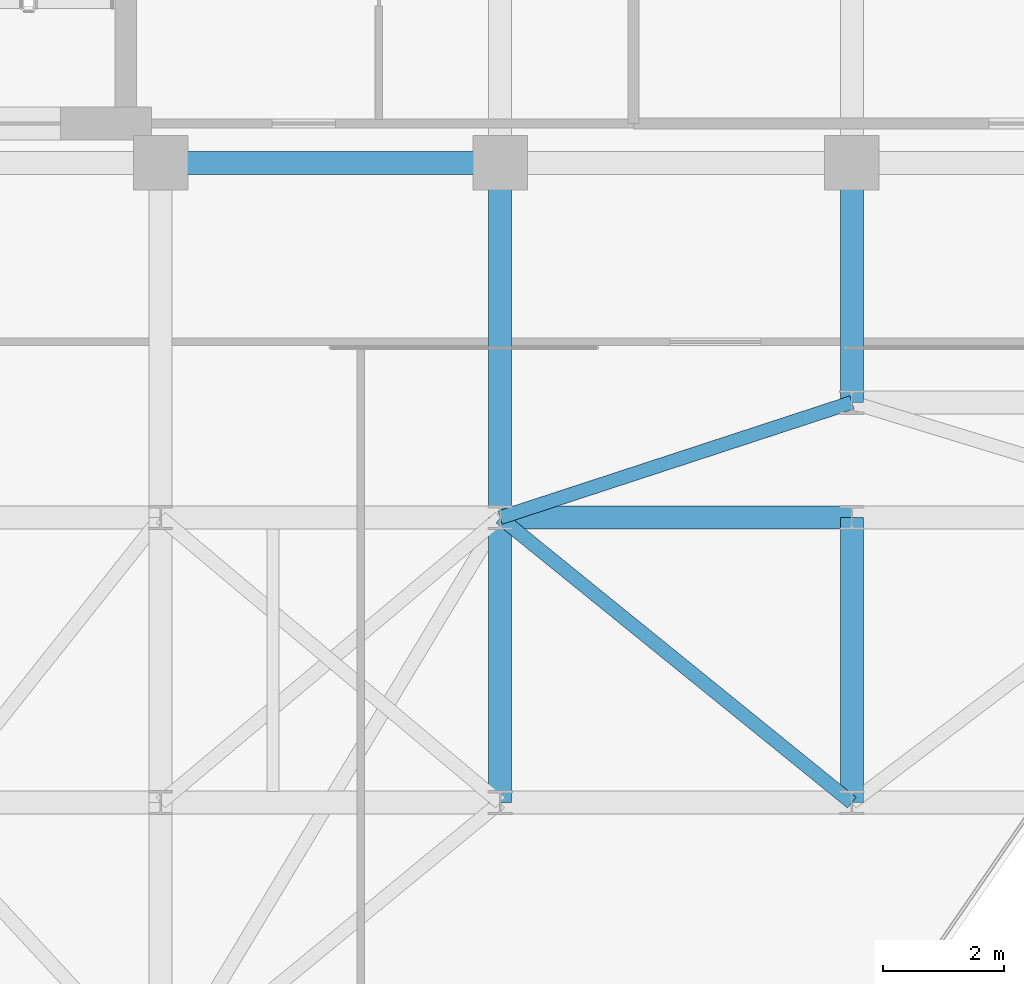
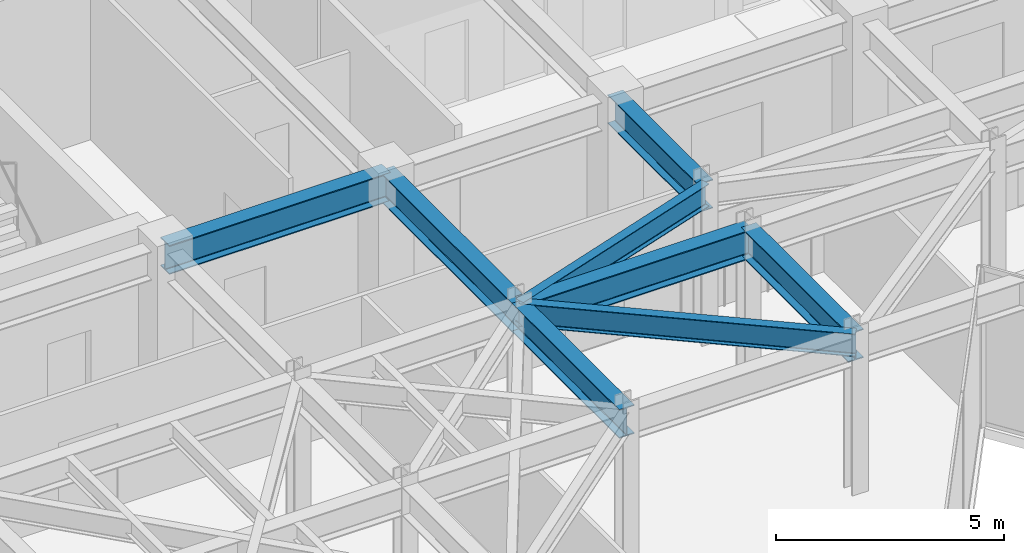
# One storey, part 11 of 25: 8 beams.
"""IFC4 building model written with IfcOpenShell, lengths in metres."""

from ifc_helpers import new_model, si_unit, direction, frame, origin, origin_2d, place, context, subcontext, project, spatial, i_section, extrude, material, material_profile, profile_set, type_object, element, save


model = new_model("IFC4")

# Units and contexts
model_context = context("Model", 3, precision=1e-05, world=origin(), true_north=direction((0.0, 1.0)))
body_context = subcontext(model_context, "Body", "Model", "MODEL_VIEW")
ifc_project = project(units=[si_unit("LENGTHUNIT", "METRE"), si_unit("AREAUNIT", "SQUARE_METRE"), si_unit("VOLUMEUNIT", "CUBIC_METRE"), si_unit("PLANEANGLEUNIT", "RADIAN"), si_unit("MASSUNIT", "GRAM", prefix="KILO")], contexts=[model_context])

# Site, building, storey
site_placement = place(None, origin())
site = spatial("IfcSite", under=ifc_project, at=site_placement, CompositionType="ELEMENT")
building_placement = place(site_placement, origin())
building = spatial("IfcBuilding", under=site, at=building_placement, Name="Kravanh Interchange Tower", CompositionType="ELEMENT")
storey_placement = place(building_placement, frame((0.0, 0.0, 220.5)))
storey = spatial("IfcBuildingStorey", under=building, at=storey_placement, Name="L53", CompositionType="ELEMENT", Elevation=220.5)

# Beams
ifc_material_1 = material(Name="Structural Steel S355", Category="steel")
ifc_material_profile_1 = material_profile(ifc_material_1, i_section(OverallWidth=0.381103515625, OverallDepth=0.77294921875, WebThickness=0.0166015625, FlangeThickness=0.027099609375, FilletRadius=0.02490234375, at=origin_2d()), Name="W30X173")
ifc_profile_set_1 = profile_set([ifc_material_profile_1], Name="Structural Steel S355")
beam_type_1 = type_object("IfcBeamType", Name="Floor Beam W30X173 Structural Steel S355", PredefinedType="BEAM", material=ifc_profile_set_1)
beam_1_placement = place(storey_placement, frame((38.60009765625, 37.35009765625, 3.83349609375), z_axis=(0.0, -1.0, 0.0), x_axis=(1.0, 0.0, 0.0)))
element("IfcBeam", 1, at=beam_1_placement, inside=storey, type_object=beam_type_1, Name="L53 Primary Floor Girder 16", PredefinedType="BEAM", context=body_context, shape_type="SweptSolid", body=[
    extrude(i_section(OverallWidth=0.381103515625, OverallDepth=0.77294921875, WebThickness=0.0166015625, FlangeThickness=0.027099609375, FilletRadius=0.02490234375, at=origin_2d()), origin(), (0.0, 0.0, 1.0), 3.9501953125),
])
beam_2_placement = place(storey_placement, frame((32.800048828125, 37.35009765625, 3.83349609375), z_axis=(-1.0, 0.0, 0.0), x_axis=(0.0, -1.0, 0.0)))
element("IfcBeam", 2, at=beam_2_placement, inside=storey, type_object=beam_type_1, Name="L53 Primary Floor Girder 20", PredefinedType="BEAM", context=body_context, shape_type="SweptSolid", body=[
    extrude(i_section(OverallWidth=0.381103515625, OverallDepth=0.77294921875, WebThickness=0.0166015625, FlangeThickness=0.027099609375, FilletRadius=0.02490234375, at=origin_2d()), origin(), (0.0, 0.0, 1.0), 5.60009765625),
])
beam_3_placement = place(storey_placement, frame((32.800048828125, 37.35009765625, 3.83349609375), z_axis=(0.0, -1.0, 0.0), x_axis=(1.0, 0.0, 0.0)))
element("IfcBeam", 3, at=beam_3_placement, inside=storey, type_object=beam_type_1, Name="L53 Primary Floor Girder 21", PredefinedType="BEAM", context=body_context, shape_type="SweptSolid", body=[
    extrude(i_section(OverallWidth=0.381103515625, OverallDepth=0.77294921875, WebThickness=0.0166015625, FlangeThickness=0.027099609375, FilletRadius=0.02490234375, at=origin_2d()), origin(), (0.0, 0.0, 1.0), 5.85009765625),
])
for number, where, z_axis, x_axis, name in (
    (4, (32.800048828125, 26.800048828125, 3.83349609375), (0.0, 1.0, 0.0), (-1.0, 0.0, 0.0), "L53 Primary Floor Girder 41"),
    (5, (38.60009765625, 26.800048828125, 3.83349609375), (0.0, 1.0, 0.0), (-1.0, 0.0, 0.0), "L53 Primary Floor Girder 45"),
):
    element("IfcBeam", number, at=place(storey_placement, frame(where, z_axis=z_axis, x_axis=x_axis)), inside=storey, type_object=beam_type_1, Name=name, PredefinedType="BEAM", context=body_context, shape_type="SweptSolid", body=[
        extrude(i_section(OverallWidth=0.381103515625, OverallDepth=0.77294921875, WebThickness=0.0166015625, FlangeThickness=0.027099609375, FilletRadius=0.02490234375, at=origin_2d()), origin(), (0.0, 0.0, 1.0), 4.699951171875),
    ])
beam_4_placement = place(storey_placement, frame((32.800048828125, 31.5, 3.83349609375), z_axis=(1.0, 0.0, 0.0), x_axis=(0.0, 1.0, 0.0)))
element("IfcBeam", 6, at=beam_4_placement, inside=storey, type_object=beam_type_1, Name="L53 Primary Floor Girder 67", PredefinedType="BEAM", context=body_context, shape_type="SweptSolid", body=[
    extrude(i_section(OverallWidth=0.381103515625, OverallDepth=0.77294921875, WebThickness=0.0166015625, FlangeThickness=0.027099609375, FilletRadius=0.02490234375, at=origin_2d()), origin(), (0.0, 0.0, 1.0), 5.800048828125),
])
ifc_material_2 = material(Name="Structural Steel S355", Category="steel")
ifc_material_profile_2 = material_profile(ifc_material_2, i_section(OverallWidth=0.22802734375, OverallDepth=0.60791015625, WebThickness=0.01123046875, FlangeThickness=0.017333984375, FilletRadius=0.02197265625, at=origin_2d()), Name="W24X76")
ifc_profile_set_2 = profile_set([ifc_material_profile_2], Name="Structural Steel S355")
beam_type_2 = type_object("IfcBeamType", Name="Floor Spandrel W24X76 Structural Steel S355", PredefinedType="SPANDREL", material=ifc_profile_set_2)
beam_5_placement = place(storey_placement, frame((38.60009765625, 26.800048828125, 3.916015625), z_axis=(-0.776938619557, 0.629576350764, 0.0), x_axis=(-0.629576350764, -0.776938619557, 0.0)))
element("IfcBeam", 7, at=beam_5_placement, inside=storey, type_object=beam_type_2, Name="L53 Perimeter Spandrel 46", PredefinedType="SPANDREL", context=body_context, shape_type="SweptSolid", body=[
    extrude(i_section(OverallWidth=0.22802734375, OverallDepth=0.60791015625, WebThickness=0.01123046875, FlangeThickness=0.017333984375, FilletRadius=0.02197265625, at=origin_2d()), origin(), (0.0, 0.0, 1.0), 7.46533203125),
])
beam_6_placement = place(storey_placement, frame((32.800048828125, 31.5, 3.916015625), z_axis=(0.950314536578, 0.31129131303, 0.0), x_axis=(-0.31129131303, 0.950314536578, 0.0)))
element("IfcBeam", 8, at=beam_6_placement, inside=storey, type_object=beam_type_2, Name="L53 Perimeter Spandrel 68", PredefinedType="SPANDREL", context=body_context, shape_type="SweptSolid", body=[
    extrude(i_section(OverallWidth=0.22802734375, OverallDepth=0.60791015625, WebThickness=0.01123046875, FlangeThickness=0.017333984375, FilletRadius=0.02197265625, at=origin_2d()), origin(), (0.0, 0.0, 1.0), 6.103271484375),
])

save(model, "model.ifc")
